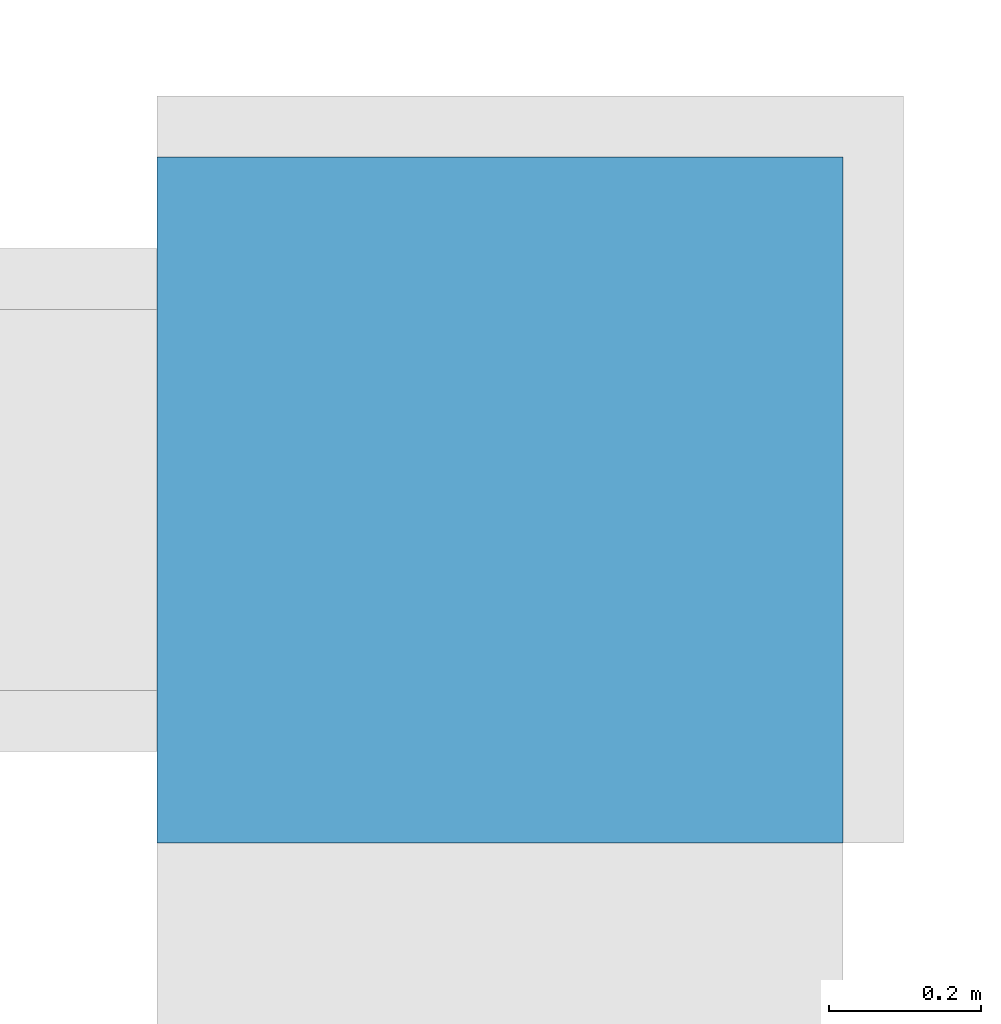
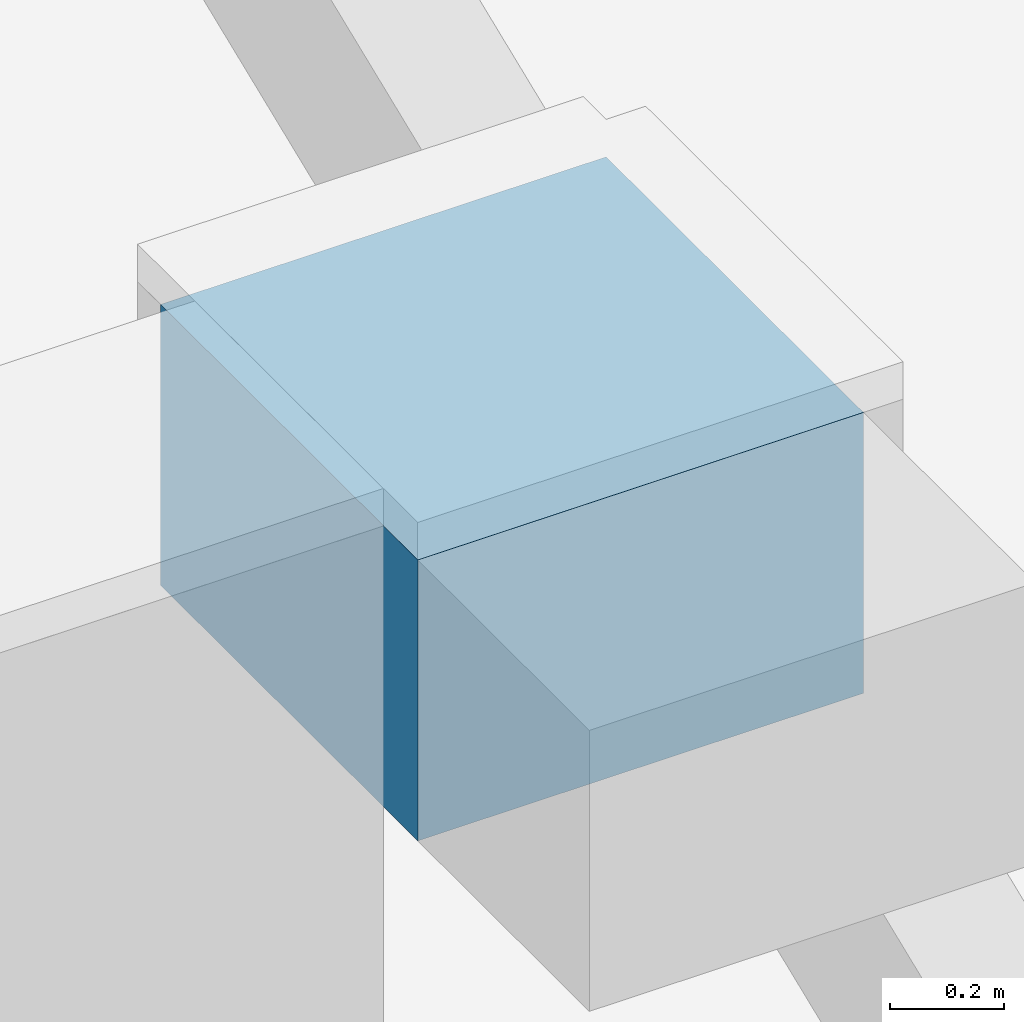
# One storey, part 2 of 105: 1 column.
"""IFC4 building model written with IfcOpenShell, lengths in metres."""

from ifc_helpers import new_model, si_unit, direction, frame, origin, origin_2d, place, context, subcontext, project, spatial, rectangle, extrude, material, material_profile, profile_set, type_object, element, save


model = new_model("IFC4")

# Units and contexts
model_context = context("Model", 3, precision=1e-05, world=origin(), true_north=direction((0.0, 1.0)))
body_context = subcontext(model_context, "Body", "Model", "MODEL_VIEW")
ifc_project = project(units=[si_unit("LENGTHUNIT", "METRE"), si_unit("AREAUNIT", "SQUARE_METRE"), si_unit("VOLUMEUNIT", "CUBIC_METRE"), si_unit("PLANEANGLEUNIT", "RADIAN"), si_unit("MASSUNIT", "GRAM", prefix="KILO")], contexts=[model_context])

# Site, building, storey
site_placement = place(None, origin())
site = spatial("IfcSite", under=ifc_project, at=site_placement, CompositionType="ELEMENT")
building_placement = place(site_placement, origin())
building = spatial("IfcBuilding", under=site, at=building_placement, Name="Wasatch Bagh Community Centre", CompositionType="ELEMENT")
storey_placement = place(building_placement, frame((0.0, 0.0, 16.800048828125)))
storey = spatial("IfcBuildingStorey", under=building, at=storey_placement, Name="L04", CompositionType="ELEMENT", Elevation=16.800048828125)

# Column
ifc_material = material(Name="Concrete C40", Category="concrete")
ifc_material_profile = material_profile(ifc_material, rectangle(XDim=0.89990234375, YDim=0.89990234375, at=origin_2d()), Name="RC 900x900")
ifc_profile_set = profile_set([ifc_material_profile], Name="Concrete C40")
column_type = type_object("IfcColumnType", Name="CL-P1", PredefinedType="COLUMN", material=ifc_profile_set)
column_placement = place(storey_placement, frame((134.60009765625, 35.0, 0.0), z_axis=(0.0, 0.0, 1.0), x_axis=(1.0, 0.0, 0.0)))
element("IfcColumn", 1, at=column_placement, inside=storey, type_object=column_type, Name="CL-P1 pier SHP2", PredefinedType="COLUMN", context=body_context, shape_type="SweptSolid", body=[
    extrude(rectangle(XDim=0.89990234375, YDim=0.89990234375, at=origin_2d()), origin(), (0.0, 0.0, 1.0), 0.599853515625),
])

save(model, "model.ifc")
